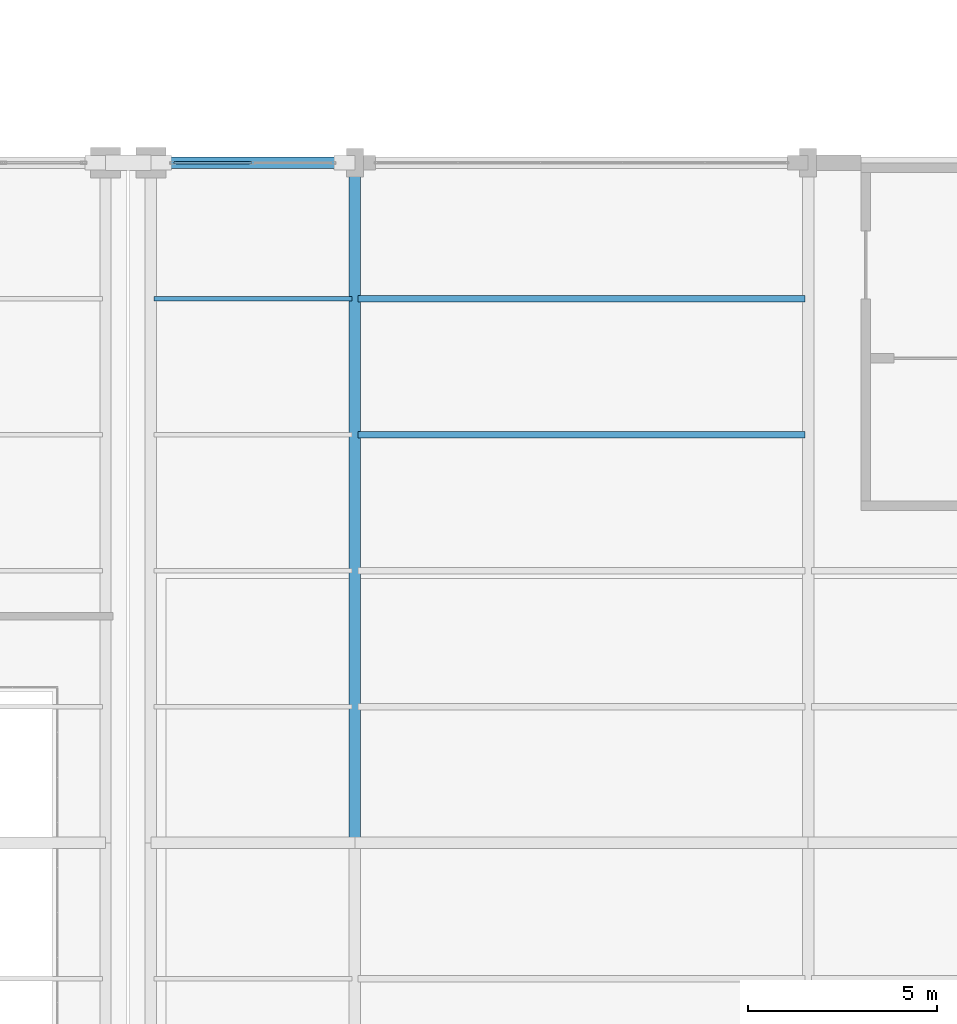
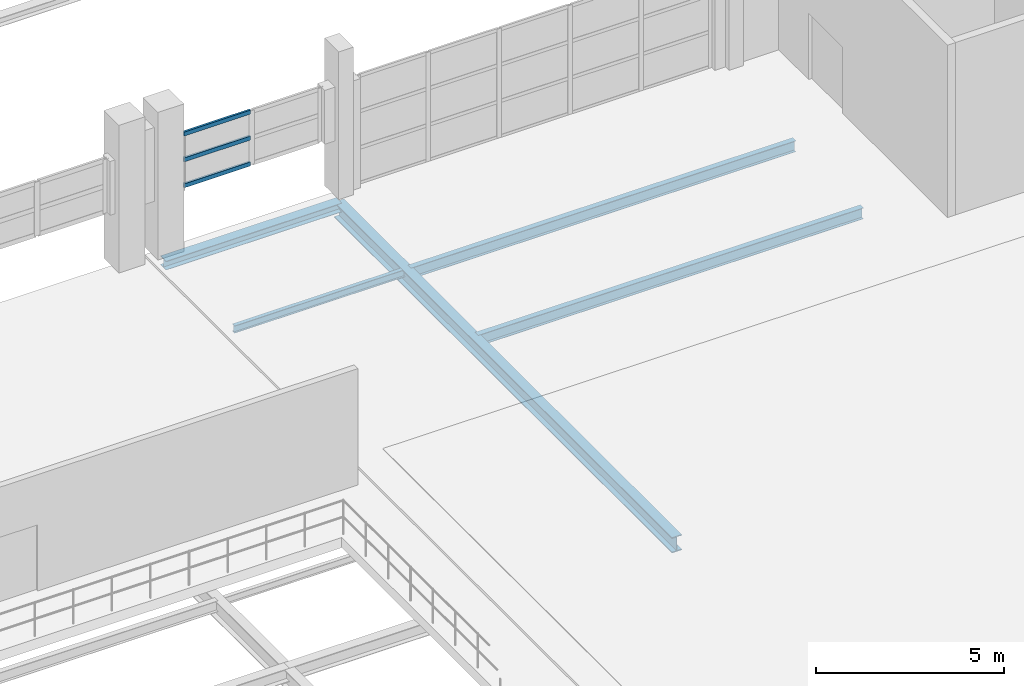
# One storey, part 64 of 86: 5 beams, 3 members, 1 element without a shape of its own.
"""IFC4 building model written with IfcOpenShell, lengths in metres."""

import ifcopenshell
import ifcopenshell.guid

model = None  # the IFC model being written
_history = None  # IfcOwnerHistory: only IFC2X3 demands one
_inside = {}  # id of a spatial element -> (the spatial element, [elements in it])
_under = {}  # id of a project, library or spatial element -> (it, [spatial elements below it])
_declared = {}  # id of a project -> (the project, [libraries it declares])
_typed = {}  # id of a type object -> (the type object, [elements of that type])
_made_of = {}  # id of a material, layer set ... -> (it, [elements and type objects made of it])


def new_model(schema):
    """Start an empty IFC model of exactly this schema.

    Asked for "IFC4X3", IfcOpenShell would pick the latest addendum, in which some entities
    have other attributes; the version numbers below select the first issue.
    IFC2X3 requires an IfcOwnerHistory on every rooted entity: one is made here for all.
    """
    global model, _history
    if schema == "IFC4X3":
        model = ifcopenshell.file(schema_version=(4, 3, 0, 0))
    else:
        model = ifcopenshell.file(schema=schema)
    _inside.clear()
    _under.clear()
    _declared.clear()
    _typed.clear()
    _made_of.clear()
    _history = None
    if model.schema == "IFC2X3":
        org = make("IfcOrganization", Name="unknown")
        user = make(
            "IfcPersonAndOrganization",
            ThePerson=make("IfcPerson", FamilyName="unknown"),
            TheOrganization=org,
        )
        app = make(
            "IfcApplication",
            ApplicationDeveloper=org,
            Version="unknown",
            ApplicationFullName="unknown",
            ApplicationIdentifier="unknown",
        )
        _history = make(
            "IfcOwnerHistory",
            OwningUser=user,
            OwningApplication=app,
            ChangeAction="ADDED",
            CreationDate=0,
        )
    return model


def make(cls, **values):
    """One entity of the class cls with the attributes given. An attribute that is None is left unset."""
    return model.create_entity(
        cls, **{name: value for name, value in values.items() if value is not None}
    )


def rooted(cls, **values):
    """An entity with a GlobalId (a new one), such as an element, a storey or a relation."""
    return make(cls, GlobalId=ifcopenshell.guid.new(), OwnerHistory=_history, **values)


def si_unit(unit_type, name, prefix=None):
    """IfcSIUnit, for example si_unit("LENGTHUNIT", "METRE", prefix="MILLI")."""
    return make("IfcSIUnit", UnitType=unit_type, Prefix=prefix, Name=name)


def assignment(units):
    """IfcUnitAssignment: the units of a project."""
    return None if units is None else make("IfcUnitAssignment", Units=units)


def point(xyz):
    """IfcCartesianPoint."""
    return None if xyz is None else make("IfcCartesianPoint", Coordinates=xyz)


def direction(xyz):
    """IfcDirection."""
    return None if xyz is None else make("IfcDirection", DirectionRatios=xyz)


def frame(location, z_axis=None, x_axis=None):
    """IfcAxis2Placement3D, a coordinate frame: its origin and axes. An axis left out is left unset."""
    return make(
        "IfcAxis2Placement3D",
        Location=point(location),
        Axis=direction(z_axis),
        RefDirection=direction(x_axis),
    )


def frame_2d(location, x_axis=None):
    """IfcAxis2Placement2D, a coordinate frame in the plane: its origin and x axis."""
    return make(
        "IfcAxis2Placement2D", Location=point(location), RefDirection=direction(x_axis)
    )


def origin():
    """The frame at (0, 0, 0) with its axes left unset."""
    return frame((0.0, 0.0, 0.0))


def origin_2d():
    """The frame at (0, 0) in the plane with its x axis left unset."""
    return frame_2d((0.0, 0.0))


def place(relative_to, where):
    """IfcLocalPlacement: puts the frame where relative to a parent placement (None: the world)."""
    return make(
        "IfcLocalPlacement", PlacementRelTo=relative_to, RelativePlacement=where
    )


def context(
    kind, dimensions, precision=None, world=None, true_north=None, identifier=None
):
    """IfcGeometricRepresentationContext, for example the 3D "Model" context."""
    return make(
        "IfcGeometricRepresentationContext",
        ContextIdentifier=identifier,
        ContextType=kind,
        CoordinateSpaceDimension=dimensions,
        Precision=precision,
        WorldCoordinateSystem=world,
        TrueNorth=true_north,
    )


def subcontext(parent, identifier, kind, view, scale=None):
    """IfcGeometricRepresentationSubContext, for example "Body" below "Model"."""
    return make(
        "IfcGeometricRepresentationSubContext",
        ContextIdentifier=identifier,
        ContextType=kind,
        ParentContext=parent,
        TargetScale=scale,
        TargetView=view,
    )


def project(units=None, contexts=None):
    """IfcProject with its units and contexts."""
    return rooted(
        "IfcProject",
        Name="project",
        RepresentationContexts=contexts,
        UnitsInContext=assignment(units),
    )


def spatial(cls, under=None, at=None, **own):
    """A site, building, storey or space (cls), placed at a placement, below another one or the project."""
    s = rooted(cls, ObjectPlacement=at, **own)
    if under is not None:
        _under.setdefault(under.id(), (under, []))[1].append(s)
    return s


def profile(cls, at=None, kind="AREA", **sizes):
    """A parametric profile (cls). Its sizes go by their IFC names, for example OverallWidth=200.0."""
    return make(cls, ProfileType=kind, Position=at, **sizes)


def hollow_rectangle(**sizes):
    """IfcRectangleHollowProfileDef."""
    return profile("IfcRectangleHollowProfileDef", **sizes)


def i_section(**sizes):
    """IfcIShapeProfileDef."""
    return profile("IfcIShapeProfileDef", **sizes)


def extrude(swept, where, along, depth):
    """IfcExtrudedAreaSolid: the profile swept, set in the frame where, extruded along a direction by depth."""
    return make(
        "IfcExtrudedAreaSolid",
        SweptArea=swept,
        Position=where,
        ExtrudedDirection=direction(along),
        Depth=depth,
    )


def shape(context_of_items, identifier, shape_type, items):
    """IfcShapeRepresentation: the items that make up one representation, for example the "Body"."""
    return make(
        "IfcShapeRepresentation",
        ContextOfItems=context_of_items,
        RepresentationIdentifier=identifier,
        RepresentationType=shape_type,
        Items=items,
    )


def material(Name=None, Category=None):
    """IfcMaterial."""
    return make("IfcMaterial", Name=Name, Category=Category)


def layer(
    of_material, thickness, ventilated=None, Name=None, Category=None, Priority=None
):
    """IfcMaterialLayer: one layer of a wall or slab, of a material (None: an air gap)."""
    return make(
        "IfcMaterialLayer",
        Material=of_material,
        LayerThickness=thickness,
        IsVentilated=ventilated,
        Name=Name,
        Category=Category,
        Priority=Priority,
    )


def layer_set(layers, Name=None):
    """IfcMaterialLayerSet."""
    return make("IfcMaterialLayerSet", MaterialLayers=layers, LayerSetName=Name)


def material_profile(
    of_material, cross_section, Name=None, Category=None, Priority=None
):
    """IfcMaterialProfile: a cross section and its material."""
    return make(
        "IfcMaterialProfile",
        Name=Name,
        Material=of_material,
        Profile=cross_section,
        Priority=Priority,
        Category=Category,
    )


def profile_set(profiles, Name=None, composite=None):
    """IfcMaterialProfileSet."""
    return make(
        "IfcMaterialProfileSet",
        Name=Name,
        MaterialProfiles=profiles,
        CompositeProfile=composite,
    )


def made_of(thing, what):
    """Note that an element or type object is made of a material, layer set ...; save() writes the relation."""
    if what is not None:
        _made_of.setdefault(what.id(), (what, []))[1].append(thing)
    return thing


def type_object(cls, material=None, **own):
    """A type object (cls), such as IfcWallType, which elements share."""
    return made_of(rooted(cls, **own), material)


def element(
    cls,
    number,
    at=None,
    inside=None,
    cuts=None,
    type_object=None,
    material=None,
    context=None,
    identifier="Body",
    shape_type=None,
    held_by="IfcProductDefinitionShape",
    body=None,
    shapes=None,
    **own,
):
    """One element of the class cls, such as IfcWall. Its Tag is "e" and its number.

    at: its placement. inside: the storey or other place that contains it. cuts: it is an
    opening in that element (IfcRelVoidsElement). A single representation is given by context,
    identifier, shape_type and body (its items); several are given by shapes. held_by: the class
    of the entity that holds the representations. save() writes the other relations.
    """
    e = rooted(cls, Tag="e%d" % number, ObjectPlacement=at, **own)
    if body is not None:
        shapes = [shape(context, identifier, shape_type, body)]
    if shapes is not None:
        e.Representation = make(held_by, Representations=shapes)
    if inside is not None:
        _inside.setdefault(inside.id(), (inside, []))[1].append(e)
    if cuts is not None:
        rooted(
            "IfcRelVoidsElement", RelatingBuildingElement=cuts, RelatedOpeningElement=e
        )
    if type_object is not None:
        _typed.setdefault(type_object.id(), (type_object, []))[1].append(e)
    return made_of(e, material)


def aggregate(whole, parts):
    """IfcRelAggregates: a whole, such as a stair, and the parts it consists of."""
    return rooted("IfcRelAggregates", RelatingObject=whole, RelatedObjects=parts)


def save(model, path):
    """Write the relations noted so far, then the file.

    IfcRelAggregates (storeys below a building ...), IfcRelContainedInSpatialStructure (elements
    in a storey), IfcRelDefinesByType, IfcRelAssociatesMaterial and IfcRelDeclares: one each for
    every whole, place, type object, material and project.
    """
    for whole, parts in _under.values():
        aggregate(whole, parts)
    for where, things in _inside.values():
        rooted(
            "IfcRelContainedInSpatialStructure",
            RelatedElements=things,
            RelatingStructure=where,
        )
    for kind, things in _typed.values():
        rooted("IfcRelDefinesByType", RelatedObjects=things, RelatingType=kind)
    for what, things in _made_of.values():
        rooted("IfcRelAssociatesMaterial", RelatedObjects=things, RelatingMaterial=what)
    for by, libraries in _declared.values():
        rooted("IfcRelDeclares", RelatingContext=by, RelatedDefinitions=libraries)
    model.write(path)


model = new_model("IFC4")

# Units and contexts
model_context = context("Model", 3, precision=1e-05, world=origin(), true_north=direction((0.0, 1.0)))
body_context = subcontext(model_context, "Body", "Model", "MODEL_VIEW")
ifc_project = project(units=[si_unit("LENGTHUNIT", "METRE"), si_unit("AREAUNIT", "SQUARE_METRE"), si_unit("VOLUMEUNIT", "CUBIC_METRE"), si_unit("PLANEANGLEUNIT", "RADIAN"), si_unit("MASSUNIT", "GRAM", prefix="KILO")], contexts=[model_context])

# Site, building, storey
site_placement = place(None, origin())
site = spatial("IfcSite", under=ifc_project, at=site_placement, CompositionType="ELEMENT")
building_placement = place(site_placement, origin())
building = spatial("IfcBuilding", under=site, at=building_placement, Name="Zilviju Railside Exhibition Hall", CompositionType="ELEMENT")
storey_placement = place(building_placement, frame((0.0, 0.0, 12.60009765625)))
storey = spatial("IfcBuildingStorey", under=building, at=storey_placement, Name="L04", CompositionType="ELEMENT", Elevation=12.60009765625)

# Beams
ifc_material_1 = material(Name="Steel S355J2", Category="steel")
ifc_material_profile_1 = material_profile(ifc_material_1, i_section(OverallWidth=0.300048828125, OverallDepth=0.2900390625, WebThickness=0.008544921875, FlangeThickness=0.013916015625, at=origin_2d()), Name="HEA 300")
ifc_profile_set_1 = profile_set([ifc_material_profile_1], Name="Steel S355J2")
beam_type_1 = type_object("IfcBeamType", Name="BM-HEA300", PredefinedType="SPANDREL", material=ifc_profile_set_1)
beam_1_placement = place(storey_placement, frame((174.60009765625, 138.0, -0.47509765625), z_axis=(1.0, 0.0, 0.0), x_axis=(0.0, 1.0, 0.0)))
element("IfcBeam", 1, at=beam_1_placement, inside=storey, type_object=beam_type_1, Name="Primary Girder L04 Y=138.0 (174.6..180.0)", PredefinedType="SPANDREL", context=body_context, shape_type="SweptSolid", body=[
    extrude(i_section(OverallWidth=0.300048828125, OverallDepth=0.2900390625, WebThickness=0.008544921875, FlangeThickness=0.013916015625, at=origin_2d()), origin(), (0.0, 0.0, 1.0), 5.39990234375),
])
ifc_material_profile_2 = material_profile(ifc_material_1, i_section(OverallWidth=0.300048828125, OverallDepth=0.5, WebThickness=0.014404296875, FlangeThickness=0.028076171875, at=origin_2d()), Name="HEB 500")
ifc_profile_set_2 = profile_set([ifc_material_profile_2], Name="Steel S355J2")
beam_type_2 = type_object("IfcBeamType", Name="BM-HEB500", PredefinedType="BEAM", material=ifc_profile_set_2)
beam_2_placement = place(storey_placement, frame((180.0, 120.0, -0.580078125), z_axis=(0.0, 1.0, 0.0), x_axis=(-1.0, 0.0, 0.0)))
element("IfcBeam", 2, at=beam_2_placement, inside=storey, type_object=beam_type_2, Name="Transverse Girder L04 X=180.0 (120.0..138.0)", PredefinedType="BEAM", context=body_context, shape_type="SweptSolid", body=[
    extrude(i_section(OverallWidth=0.300048828125, OverallDepth=0.5, WebThickness=0.014404296875, FlangeThickness=0.028076171875, at=origin_2d()), origin(), (0.0, 0.0, 1.0), 18.0),
])
ifc_material_profile_3 = material_profile(ifc_material_1, i_section(OverallWidth=0.1201171875, OverallDepth=0.239990234375, WebThickness=0.006103515625, FlangeThickness=0.009765625, at=origin_2d()), Name="IPE 240")
ifc_profile_set_3 = profile_set([ifc_material_profile_3], Name="Steel S355J2")
beam_type_3 = type_object("IfcBeamType", Name="BM-IPE240", PredefinedType="JOIST", material=ifc_profile_set_3)
beam_3_placement = place(storey_placement, frame((174.679931640625, 134.39990234375, -0.4501953125), z_axis=(1.0, 0.0, 0.0), x_axis=(0.0, 1.0, 0.0)))
element("IfcBeam", 3, at=beam_3_placement, inside=storey, type_object=beam_type_3, Name="Composite Floor Joist L04 Y=134.40 (174.6..180.0)", PredefinedType="JOIST", context=body_context, shape_type="SweptSolid", body=[
    extrude(i_section(OverallWidth=0.1201171875, OverallDepth=0.239990234375, WebThickness=0.006103515625, FlangeThickness=0.009765625, at=origin_2d()), origin(), (0.0, 0.0, 1.0), 5.239990234375),
])
ifc_material_profile_4 = material_profile(ifc_material_1, i_section(OverallWidth=0.169921875, OverallDepth=0.360107421875, WebThickness=0.008056640625, FlangeThickness=0.0126953125, at=origin_2d()), Name="IPE 360")
ifc_profile_set_4 = profile_set([ifc_material_profile_4], Name="Steel S355J2")
beam_type_4 = type_object("IfcBeamType", Name="BM-IPE360", PredefinedType="JOIST", material=ifc_profile_set_4)
for number, where, z_axis, x_axis, name in (
    (4, (180.080078125, 130.800048828125, -0.510009765625), (1.0, 0.0, 0.0), (0.0, 1.0, 0.0), "Composite Floor Joist L04 Y=130.80 (180.0..192.0)"),
    (5, (180.080078125, 134.39990234375, -0.510009765625), (1.0, 0.0, 0.0), (0.0, 1.0, 0.0), "Composite Floor Joist L04 Y=134.40 (180.0..192.0)"),
):
    element("IfcBeam", number, at=place(storey_placement, frame(where, z_axis=z_axis, x_axis=x_axis)), inside=storey, type_object=beam_type_4, Name=name, PredefinedType="JOIST", context=body_context, shape_type="SweptSolid", body=[
        extrude(i_section(OverallWidth=0.169921875, OverallDepth=0.360107421875, WebThickness=0.008056640625, FlangeThickness=0.0126953125, at=origin_2d()), origin(), (0.0, 0.0, 1.0), 11.83984375),
    ])

# Curtain wall, members
ifc_material_2 = material(Name="Thermally broken aluminium-steel triple-glazed curtain wall", Category="steel")
ifc_layer = layer(ifc_material_2, 0.179931640625)
ifc_layer_set = layer_set([ifc_layer], Name="Thermally broken aluminium-steel triple-glazed curtain wall")
curtain_wall_type = type_object("IfcCurtainWallType", Name="CW-BAY-10", PredefinedType="USERDEFINED", material=ifc_layer_set)
curtain_wall_placement = place(storey_placement, origin())
curtain_wall = element("IfcCurtainWall", 6, at=curtain_wall_placement, inside=storey, type_object=curtain_wall_type, Name="North Hall Clerestory Curtain Wall L04 (175..180)", ObjectType="GLAZED CURTAIN WALL", PredefinedType="USERDEFINED")
ifc_material_3 = material(Name="Thermally broken anodized aluminium transom", Category="aluminium")
ifc_material_profile_5 = material_profile(ifc_material_3, hollow_rectangle(XDim=0.06494140625, YDim=0.1298828125, WallThickness=0.0048828125, at=origin_2d()), Name="TRANSOM 130x65x5")
ifc_profile_set_5 = profile_set([ifc_material_profile_5], Name="Thermally broken anodized aluminium transom")
member_type = type_object("IfcMemberType", Name="CWT-65x130", PredefinedType="USERDEFINED", material=ifc_profile_set_5)
member_1_placement = place(storey_placement, frame((175.215087890625, 138.0, 1.83251953125), z_axis=(1.0, 0.0, 0.0), x_axis=(0.0, 1.0, 0.0)))
member_1 = element("IfcMember", 7, at=member_1_placement, type_object=member_type, Name="CW-10 transom 1.1", ObjectType="TRANSOM", PredefinedType="USERDEFINED", context=body_context, shape_type="SweptSolid", body=[
    extrude(hollow_rectangle(XDim=0.06494140625, YDim=0.1298828125, WallThickness=0.0048828125, at=origin_2d()), origin(), (0.0, 0.0, 1.0), 2.052490234375),
])
member_2_placement = place(storey_placement, frame((175.215087890625, 138.0, 2.6748046875), z_axis=(1.0, 0.0, 0.0), x_axis=(0.0, 1.0, 0.0)))
member_2 = element("IfcMember", 8, at=member_2_placement, type_object=member_type, Name="CW-10 transom 1.2", ObjectType="TRANSOM", PredefinedType="USERDEFINED", context=body_context, shape_type="SweptSolid", body=[
    extrude(hollow_rectangle(XDim=0.06494140625, YDim=0.1298828125, WallThickness=0.0048828125, at=origin_2d()), origin(), (0.0, 0.0, 1.0), 2.052490234375),
])
member_3_placement = place(storey_placement, frame((175.215087890625, 138.0, 3.517333984375), z_axis=(1.0, 0.0, 0.0), x_axis=(0.0, 1.0, 0.0)))
member_3 = element("IfcMember", 9, at=member_3_placement, type_object=member_type, Name="CW-10 transom 1.3", ObjectType="TRANSOM", PredefinedType="USERDEFINED", context=body_context, shape_type="SweptSolid", body=[
    extrude(hollow_rectangle(XDim=0.06494140625, YDim=0.1298828125, WallThickness=0.0048828125, at=origin_2d()), origin(), (0.0, 0.0, 1.0), 2.052490234375),
])
aggregate(curtain_wall, [member_1, member_2, member_3])

save(model, "model.ifc")
